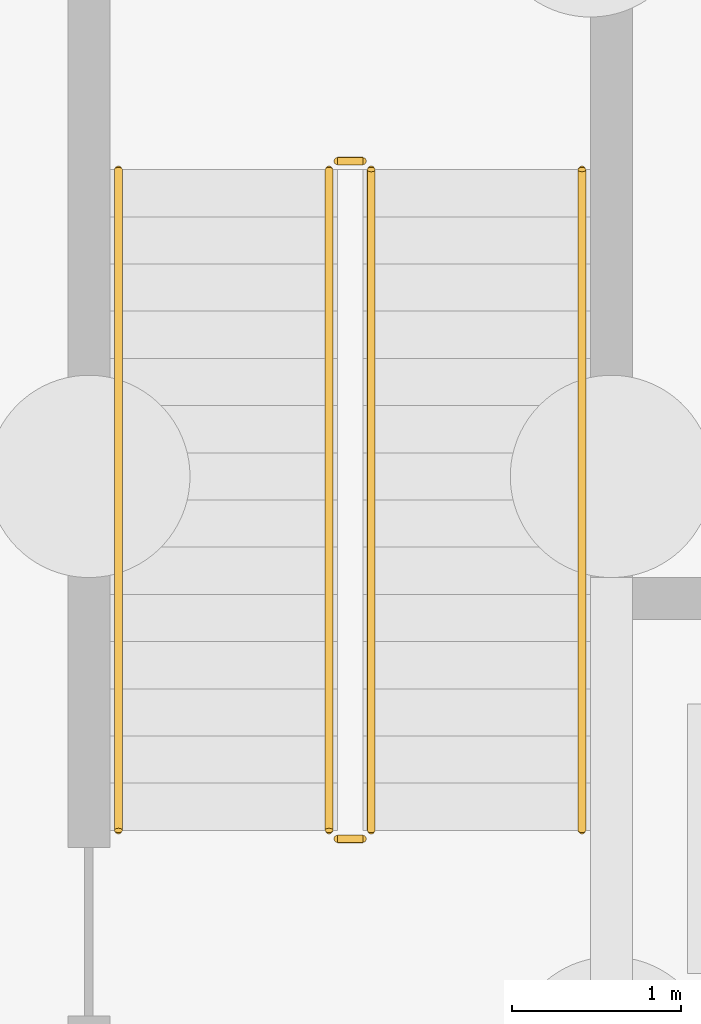
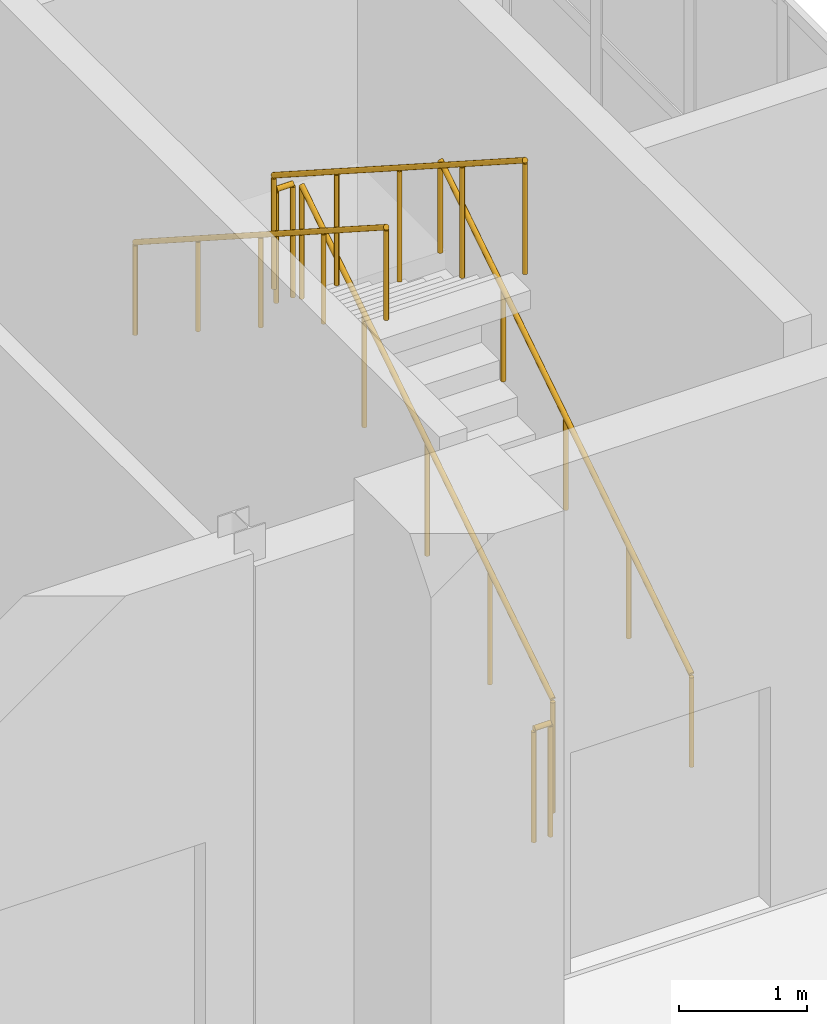
# One storey, part 152 of 168: 6 railings.
"""IFC4 building model written with IfcOpenShell, lengths in metres."""

from ifc_helpers import new_model, si_unit, direction, frame, origin, origin_2d, place, context, subcontext, project, spatial, circle, extrude, material, type_object, element, save


model = new_model("IFC4")

# Units and contexts
model_context = context("Model", 3, precision=1e-05, world=origin(), true_north=direction((0.0, 1.0)))
body_context = subcontext(model_context, "Body", "Model", "MODEL_VIEW")
ifc_project = project(units=[si_unit("LENGTHUNIT", "METRE"), si_unit("AREAUNIT", "SQUARE_METRE"), si_unit("VOLUMEUNIT", "CUBIC_METRE"), si_unit("PLANEANGLEUNIT", "RADIAN"), si_unit("MASSUNIT", "GRAM", prefix="KILO")], contexts=[model_context])

# Site, building, storey
site_placement = place(None, origin())
site = spatial("IfcSite", under=ifc_project, at=site_placement, CompositionType="ELEMENT")
building_placement = place(site_placement, origin())
building = spatial("IfcBuilding", under=site, at=building_placement, Name="Golden Quay Civic Hall", CompositionType="ELEMENT")
storey_placement = place(building_placement, origin())
storey = spatial("IfcBuildingStorey", under=building, at=storey_placement, Name="L00", CompositionType="ELEMENT", Elevation=0.0)

# Railings
ifc_material_1 = material(Name="Steel S355", Category="steel")
railing_type_1 = type_object("IfcRailingType", Name="Steel guard 1100", PredefinedType="GUARDRAIL", material=ifc_material_1)
railing_1_placement = place(storey_placement, frame((167.199951171875, -7.449951171875, 0.179931640625)))
element("IfcRailing", 1, at=railing_1_placement, inside=storey, type_object=railing_type_1, Name="L00 EO-S stair guard 1", PredefinedType="GUARDRAIL", context=body_context, shape_type="SweptSolid", body=[
    extrude(circle(Radius=0.02392578125, at=origin_2d()), frame((0.0, 0.0, 1.076171875), z_axis=(0.0, 0.841171666519, 0.540768182723), x_axis=(-1.0, 0.0, 0.0)), (0.0, 0.0, 1.0), 4.66015625),
    extrude(circle(Radius=0.02099609375, at=origin_2d()), origin(), (0.0, 0.0, 1.0), 1.052001953125),
    extrude(circle(Radius=0.02099609375, at=origin_2d()), frame((0.0, 0.97998046875, 0.6298828125)), (0.0, 0.0, 1.0), 1.052001953125),
    extrude(circle(Radius=0.02099609375, at=origin_2d()), frame((0.0, 1.9599609375, 1.260009765625)), (0.0, 0.0, 1.0), 1.052001953125),
    extrude(circle(Radius=0.02099609375, at=origin_2d()), frame((0.0, 2.93994140625, 1.89013671875)), (0.0, 0.0, 1.0), 1.052001953125),
    extrude(circle(Radius=0.02099609375, at=origin_2d()), frame((0.0, 3.919921875, 2.52001953125)), (0.0, 0.0, 1.0), 1.052001953125),
])
railing_2_placement = place(storey_placement, frame((167.14990234375, -3.47998046875, 2.699951171875)))
element("IfcRailing", 2, at=railing_2_placement, inside=storey, type_object=railing_type_1, Name="L00 EO-S stair guard 2", PredefinedType="GUARDRAIL", context=body_context, shape_type="SweptSolid", body=[
    extrude(circle(Radius=0.02392578125, at=origin_2d()), frame((0.0, 0.0, 1.076171875), z_axis=(-1.0, 0.0, 0.0), x_axis=(0.0, -1.0, 0.0)), (0.0, 0.0, 1.0), 0.14990234375),
    extrude(circle(Radius=0.02099609375, at=origin_2d()), origin(), (0.0, 0.0, 1.0), 1.052001953125),
    extrude(circle(Radius=0.02099609375, at=origin_2d()), frame((-0.14990234375, 0.0, 0.0)), (0.0, 0.0, 1.0), 1.052001953125),
])
railing_3_placement = place(storey_placement, frame((166.949951171875, -3.530029296875, 2.8798828125)))
element("IfcRailing", 3, at=railing_3_placement, inside=storey, type_object=railing_type_1, Name="L00 EO-S stair guard 3", PredefinedType="GUARDRAIL", context=body_context, shape_type="SweptSolid", body=[
    extrude(circle(Radius=0.02392578125, at=origin_2d()), frame((0.0, 0.0, 1.076171875), z_axis=(0.0, -0.841171666519, 0.540768182723), x_axis=(1.0, 0.0, 0.0)), (0.0, 0.0, 1.0), 4.66015625),
    extrude(circle(Radius=0.02099609375, at=origin_2d()), origin(), (0.0, 0.0, 1.0), 1.052001953125),
    extrude(circle(Radius=0.02099609375, at=origin_2d()), frame((0.0, -0.97998046875, 0.6298828125)), (0.0, 0.0, 1.0), 1.052001953125),
    extrude(circle(Radius=0.02099609375, at=origin_2d()), frame((0.0, -1.9599609375, 1.260009765625)), (0.0, 0.0, 1.0), 1.052001953125),
    extrude(circle(Radius=0.02099609375, at=origin_2d()), frame((0.0, -2.93994140625, 1.89013671875)), (0.0, 0.0, 1.0), 1.052001953125),
    extrude(circle(Radius=0.02099609375, at=origin_2d()), frame((0.0, -3.919921875, 2.52001953125)), (0.0, 0.0, 1.0), 1.052001953125),
])
railing_4_placement = place(storey_placement, frame((167.14990234375, -7.5, 0.0)))
element("IfcRailing", 4, at=railing_4_placement, inside=storey, type_object=railing_type_1, Name="L00 EO-S stair guard 4", PredefinedType="GUARDRAIL", context=body_context, shape_type="SweptSolid", body=[
    extrude(circle(Radius=0.02392578125, at=origin_2d()), frame((0.0, 0.0, 1.076171875), z_axis=(-1.0, 0.0, 0.0), x_axis=(0.0, -1.0, 0.0)), (0.0, 0.0, 1.0), 0.14990234375),
    extrude(circle(Radius=0.02099609375, at=origin_2d()), origin(), (0.0, 0.0, 1.0), 1.052001953125),
    extrude(circle(Radius=0.02099609375, at=origin_2d()), frame((-0.14990234375, 0.0, 0.0)), (0.0, 0.0, 1.0), 1.052001953125),
])
ifc_material_2 = material(Name="Steel S355", Category="steel")
railing_type_2 = type_object("IfcRailingType", Name="Steel handrail 900", PredefinedType="HANDRAIL", material=ifc_material_2)
railing_5_placement = place(storey_placement, frame((168.449951171875, -7.449951171875, 0.179931640625)))
element("IfcRailing", 5, at=railing_5_placement, inside=storey, type_object=railing_type_2, Name="L00 EO-S stair handrail 1", PredefinedType="HANDRAIL", context=body_context, shape_type="SweptSolid", body=[
    extrude(circle(Radius=0.02392578125, at=origin_2d()), frame((0.0, 0.0, 0.8759765625), z_axis=(0.0, 0.841171666519, 0.540768182723), x_axis=(-1.0, 0.0, 0.0)), (0.0, 0.0, 1.0), 4.66015625),
    extrude(circle(Radius=0.02099609375, at=origin_2d()), origin(), (0.0, 0.0, 1.0), 0.851806640625),
    extrude(circle(Radius=0.02099609375, at=origin_2d()), frame((0.0, 0.97998046875, 0.6298828125)), (0.0, 0.0, 1.0), 0.851806640625),
    extrude(circle(Radius=0.02099609375, at=origin_2d()), frame((0.0, 1.9599609375, 1.260009765625)), (0.0, 0.0, 1.0), 0.851806640625),
    extrude(circle(Radius=0.02099609375, at=origin_2d()), frame((0.0, 2.93994140625, 1.89013671875)), (0.0, 0.0, 1.0), 0.851806640625),
    extrude(circle(Radius=0.02099609375, at=origin_2d()), frame((0.0, 3.919921875, 2.52001953125)), (0.0, 0.0, 1.0), 0.851806640625),
])
railing_6_placement = place(storey_placement, frame((165.699951171875, -3.530029296875, 2.8798828125)))
element("IfcRailing", 6, at=railing_6_placement, inside=storey, type_object=railing_type_2, Name="L00 EO-S stair handrail 2", PredefinedType="HANDRAIL", context=body_context, shape_type="SweptSolid", body=[
    extrude(circle(Radius=0.02392578125, at=origin_2d()), frame((0.0, 0.0, 0.8759765625), z_axis=(0.0, -0.841171666519, 0.540768182723), x_axis=(1.0, 0.0, 0.0)), (0.0, 0.0, 1.0), 4.66015625),
    extrude(circle(Radius=0.02099609375, at=origin_2d()), origin(), (0.0, 0.0, 1.0), 0.851806640625),
    extrude(circle(Radius=0.02099609375, at=origin_2d()), frame((0.0, -0.97998046875, 0.6298828125)), (0.0, 0.0, 1.0), 0.851806640625),
    extrude(circle(Radius=0.02099609375, at=origin_2d()), frame((0.0, -1.9599609375, 1.260009765625)), (0.0, 0.0, 1.0), 0.851806640625),
    extrude(circle(Radius=0.02099609375, at=origin_2d()), frame((0.0, -2.93994140625, 1.89013671875)), (0.0, 0.0, 1.0), 0.851806640625),
    extrude(circle(Radius=0.02099609375, at=origin_2d()), frame((0.0, -3.919921875, 2.52001953125)), (0.0, 0.0, 1.0), 0.851806640625),
])

save(model, "model.ifc")
